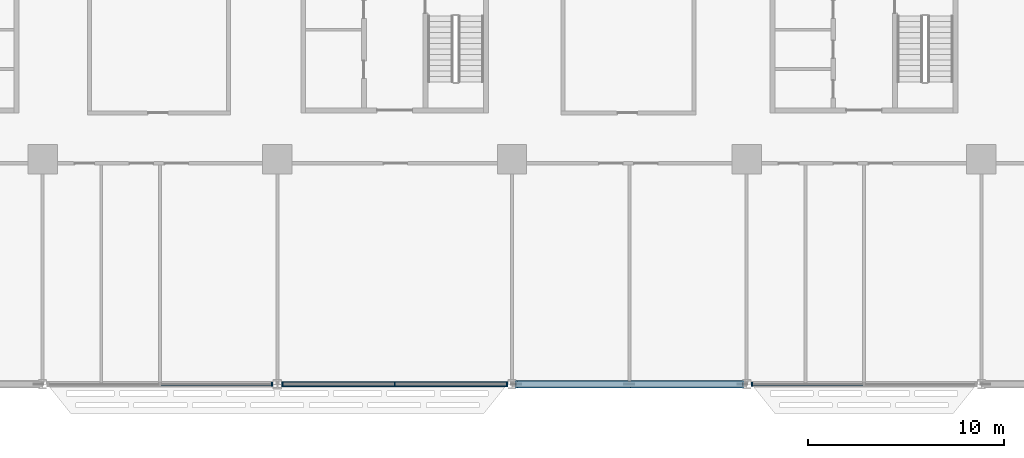
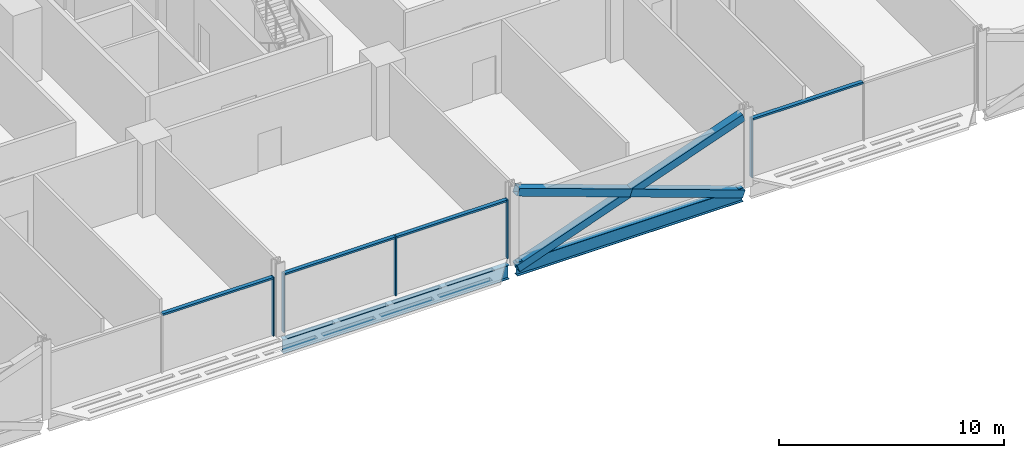
# One storey, part 5 of 29: 12 members, 2 beams, 3 elements without a shape of their own.
"""IFC4 building model written with IfcOpenShell, lengths in metres."""

from ifc_helpers import new_model, si_unit, direction, frame, origin, origin_2d, place, context, subcontext, project, spatial, rectangle, hollow_rectangle, i_section, extrude, material, material_profile, profile_set, type_object, element, aggregate, save


model = new_model("IFC4")

# Units and contexts
model_context = context("Model", 3, precision=1e-05, world=origin(), true_north=direction((0.0, 1.0)))
body_context = subcontext(model_context, "Body", "Model", "MODEL_VIEW")
ifc_project = project(units=[si_unit("LENGTHUNIT", "METRE"), si_unit("AREAUNIT", "SQUARE_METRE"), si_unit("VOLUMEUNIT", "CUBIC_METRE"), si_unit("PLANEANGLEUNIT", "RADIAN"), si_unit("MASSUNIT", "GRAM", prefix="KILO")], contexts=[model_context])

# Site, building, storey
site_placement = place(None, origin())
site = spatial("IfcSite", under=ifc_project, at=site_placement, CompositionType="ELEMENT")
building_placement = place(site_placement, origin())
building = spatial("IfcBuilding", under=site, at=building_placement, Name="Mahtab Terrace Research Tower", CompositionType="ELEMENT")
storey_placement = place(building_placement, frame((0.0, 0.0, 58.89990234375)))
storey = spatial("IfcBuildingStorey", under=building, at=storey_placement, Name="L13", CompositionType="ELEMENT", Elevation=58.89990234375)

# Members
ifc_material_1 = material(Name="Steel ASTM A500 Gr C", Category="steel")
ifc_material_profile_1 = material_profile(ifc_material_1, hollow_rectangle(XDim=0.406494140625, YDim=0.406494140625, WallThickness=0.01904296875, at=origin_2d()), Name="HSS16X16X3/4")
ifc_profile_set_1 = profile_set([ifc_material_profile_1], Name="Steel ASTM A500 Gr C")
member_type_1 = type_object("IfcMemberType", Name="HSS 16x16x3/4 brace XB161634", PredefinedType="BRACE", material=ifc_profile_set_1)
member_1_placement = place(storey_placement, frame((6.212158203125, -23.0, -0.642333984375), z_axis=(0.941386519928, 0.0, 0.337329838731), x_axis=(0.0, 1.0, 0.0)))
element("IfcMember", 1, at=member_1_placement, inside=storey, type_object=member_type_1, Name="Exoskeleton brace L13 17 a", PredefinedType="BRACE", context=body_context, shape_type="SweptSolid", body=[
    extrude(hollow_rectangle(XDim=0.406494140625, YDim=0.406494140625, WallThickness=0.01904296875, at=origin_2d()), origin(), (0.0, 0.0, 1.0), 12.29638671875),
])
for number, where, z_axis, x_axis, name in (
    (2, (17.787841796875, -23.0, -0.642333984375), (-0.941386519928, 0.0, 0.337329838731), (0.0, -1.0, 0.0), "Exoskeleton brace L13 17 b1"),
    (3, (12.0, -23.0, 1.431640625), (-0.941386519928, 0.0, 0.337329838731), (0.0, -1.0, 0.0), "Exoskeleton brace L13 17 b2"),
):
    element("IfcMember", number, at=place(storey_placement, frame(where, z_axis=z_axis, x_axis=x_axis)), inside=storey, type_object=member_type_1, Name=name, PredefinedType="BRACE", context=body_context, shape_type="SweptSolid", body=[
        extrude(hollow_rectangle(XDim=0.406494140625, YDim=0.406494140625, WallThickness=0.01904296875, at=origin_2d()), origin(), (0.0, 0.0, 1.0), 6.148193359375),
    ])

# Curtain wall, member
ifc_material_2 = material(Name="Laboratory ribbon curtain wall")
curtain_wall_type = type_object("IfcCurtainWallType", Name="Laboratory ribbon curtain wall", PredefinedType="NOTDEFINED", material=ifc_material_2)
curtain_wall_1_placement = place(storey_placement, origin())
curtain_wall_1 = element("IfcCurtainWall", 4, at=curtain_wall_1_placement, inside=storey, type_object=curtain_wall_type, Name="EN.L13.13.25", PredefinedType="NOTDEFINED")
ifc_material_3 = material(Name="Natural anodised aluminium", Category="aluminium")
ifc_material_profile_2 = material_profile(ifc_material_3, rectangle(XDim=0.199951171875, YDim=0.06494140625, at=origin_2d()), Name="MULLION 65x200")
ifc_profile_set_2 = profile_set([ifc_material_profile_2], Name="Natural anodised aluminium")
member_type_2 = type_object("IfcMemberType", Name="Laboratory ribbon curtain wall mullion", PredefinedType="MULLION", material=ifc_profile_set_2)
member_2_placement = place(storey_placement, frame((-6.2705078125, -23.0, 0.0), z_axis=(0.0, 0.0, 1.0), x_axis=(0.0, 1.0, 0.0)))
member_2 = element("IfcMember", 5, at=member_2_placement, type_object=member_type_2, Name="CWL-2 mullion 3", PredefinedType="MULLION", context=body_context, shape_type="SweptSolid", body=[
    extrude(rectangle(XDim=0.199951171875, YDim=0.06494140625, at=origin_2d()), origin(), (0.0, 0.0, 1.0), 3.203125),
])

# Curtain wall, members
curtain_wall_2_placement = place(storey_placement, origin())
curtain_wall_2 = element("IfcCurtainWall", 6, at=curtain_wall_2_placement, inside=storey, type_object=curtain_wall_type, Name="EN.L13.13.26", PredefinedType="NOTDEFINED")
member_3_placement = place(storey_placement, frame((-5.7294921875, -23.0, 0.0), z_axis=(0.0, 0.0, 1.0), x_axis=(0.0, 1.0, 0.0)))
member_3 = element("IfcMember", 7, at=member_3_placement, type_object=member_type_2, Name="CWL-2 mullion 1", PredefinedType="MULLION", context=body_context, shape_type="SweptSolid", body=[
    extrude(rectangle(XDim=0.199951171875, YDim=0.06494140625, at=origin_2d()), origin(), (0.0, 0.0, 1.0), 3.203125),
])
member_4_placement = place(storey_placement, frame((0.0, -23.0, 0.0), z_axis=(0.0, 0.0, 1.0), x_axis=(0.0, 1.0, 0.0)))
member_4 = element("IfcMember", 8, at=member_4_placement, type_object=member_type_2, Name="CWL-2 mullion 2", PredefinedType="MULLION", context=body_context, shape_type="SweptSolid", body=[
    extrude(rectangle(XDim=0.199951171875, YDim=0.06494140625, at=origin_2d()), origin(), (0.0, 0.0, 1.0), 3.203125),
])
member_5_placement = place(storey_placement, frame((5.7294921875, -23.0, 0.0), z_axis=(0.0, 0.0, 1.0), x_axis=(0.0, 1.0, 0.0)))
member_5 = element("IfcMember", 9, at=member_5_placement, type_object=member_type_2, Name="CWL-2 mullion 3", PredefinedType="MULLION", context=body_context, shape_type="SweptSolid", body=[
    extrude(rectangle(XDim=0.199951171875, YDim=0.06494140625, at=origin_2d()), origin(), (0.0, 0.0, 1.0), 3.203125),
])

# Curtain wall, member
curtain_wall_3_placement = place(storey_placement, origin())
curtain_wall_3 = element("IfcCurtainWall", 10, at=curtain_wall_3_placement, inside=storey, type_object=curtain_wall_type, Name="EN.L13.13.28", PredefinedType="NOTDEFINED")
member_6_placement = place(storey_placement, frame((18.2705078125, -23.0, 0.0), z_axis=(0.0, 0.0, 1.0), x_axis=(0.0, 1.0, 0.0)))
member_6 = element("IfcMember", 11, at=member_6_placement, type_object=member_type_2, Name="CWL-2 mullion 1", PredefinedType="MULLION", context=body_context, shape_type="SweptSolid", body=[
    extrude(rectangle(XDim=0.199951171875, YDim=0.06494140625, at=origin_2d()), origin(), (0.0, 0.0, 1.0), 3.203125),
])

# Member
ifc_material_profile_3 = material_profile(ifc_material_3, rectangle(XDim=0.199951171875, YDim=0.10009765625, at=origin_2d()), Name="TRANSOM 100x200")
ifc_profile_set_3 = profile_set([ifc_material_profile_3], Name="Natural anodised aluminium")
member_type_3 = type_object("IfcMemberType", Name="Laboratory ribbon curtain wall transom", PredefinedType="USERDEFINED", material=ifc_profile_set_3)
member_7_placement = place(storey_placement, frame((-11.967529296875, -23.0, 3.153076171875), z_axis=(1.0, 0.0, 0.0), x_axis=(0.0, 1.0, 0.0)))
member_7 = element("IfcMember", 12, at=member_7_placement, type_object=member_type_3, Name="CWL-2 transom 2", ObjectType="TRANSOM", PredefinedType="USERDEFINED", context=body_context, shape_type="SweptSolid", body=[
    extrude(rectangle(XDim=0.199951171875, YDim=0.10009765625, at=origin_2d()), origin(), (0.0, 0.0, 1.0), 5.66455078125),
])

aggregate(curtain_wall_1, [member_2, member_7])

member_8_placement = place(storey_placement, frame((-5.697021484375, -23.0, 3.153076171875), z_axis=(1.0, 0.0, 0.0), x_axis=(0.0, 1.0, 0.0)))
member_8 = element("IfcMember", 13, at=member_8_placement, type_object=member_type_3, Name="CWL-2 transom 1", ObjectType="TRANSOM", PredefinedType="USERDEFINED", context=body_context, shape_type="SweptSolid", body=[
    extrude(rectangle(XDim=0.199951171875, YDim=0.10009765625, at=origin_2d()), origin(), (0.0, 0.0, 1.0), 5.66455078125),
])

member_9_placement = place(storey_placement, frame((0.032470703125, -23.0, 3.153076171875), z_axis=(1.0, 0.0, 0.0), x_axis=(0.0, 1.0, 0.0)))
member_9 = element("IfcMember", 14, at=member_9_placement, type_object=member_type_3, Name="CWL-2 transom 2", ObjectType="TRANSOM", PredefinedType="USERDEFINED", context=body_context, shape_type="SweptSolid", body=[
    extrude(rectangle(XDim=0.199951171875, YDim=0.10009765625, at=origin_2d()), origin(), (0.0, 0.0, 1.0), 5.66455078125),
])

aggregate(curtain_wall_2, [member_3, member_4, member_5, member_8, member_9])

member_10_placement = place(storey_placement, frame((18.302978515625, -23.0, 3.153076171875), z_axis=(1.0, 0.0, 0.0), x_axis=(0.0, 1.0, 0.0)))
member_10 = element("IfcMember", 15, at=member_10_placement, type_object=member_type_3, Name="CWL-2 transom 1", ObjectType="TRANSOM", PredefinedType="USERDEFINED", context=body_context, shape_type="SweptSolid", body=[
    extrude(rectangle(XDim=0.199951171875, YDim=0.10009765625, at=origin_2d()), origin(), (0.0, 0.0, 1.0), 5.66455078125),
])

aggregate(curtain_wall_3, [member_6, member_10])

# Beams
ifc_material_4 = material(Name="Steel ASTM A992 Gr 50", Category="steel")
ifc_material_profile_4 = material_profile(ifc_material_4, i_section(OverallWidth=0.2666015625, OverallDepth=0.7568359375, WebThickness=0.013916015625, FlangeThickness=0.019287109375, at=origin_2d()), Name="W30X108")
ifc_profile_set_4 = profile_set([ifc_material_profile_4], Name="Steel ASTM A992 Gr 50")
beam_type = type_object("IfcBeamType", Name="W30x108 beam BS30108", PredefinedType="BEAM", material=ifc_profile_set_4)
for number, where, z_axis, x_axis, name in (
    (16, (-5.787841796875, -23.0, -0.71826171875), (1.0, 0.0, 0.0), (0.0, 1.0, 0.0), "Spandrel beam L13 16"),
    (17, (6.212158203125, -23.0, -0.71826171875), (1.0, 0.0, 0.0), (0.0, 1.0, 0.0), "Spandrel beam L13 17"),
):
    element("IfcBeam", number, at=place(storey_placement, frame(where, z_axis=z_axis, x_axis=x_axis)), inside=storey, type_object=beam_type, Name=name, PredefinedType="BEAM", context=body_context, shape_type="SweptSolid", body=[
        extrude(i_section(OverallWidth=0.2666015625, OverallDepth=0.7568359375, WebThickness=0.013916015625, FlangeThickness=0.019287109375, at=origin_2d()), origin(), (0.0, 0.0, 1.0), 11.57568359375),
    ])

save(model, "model.ifc")
